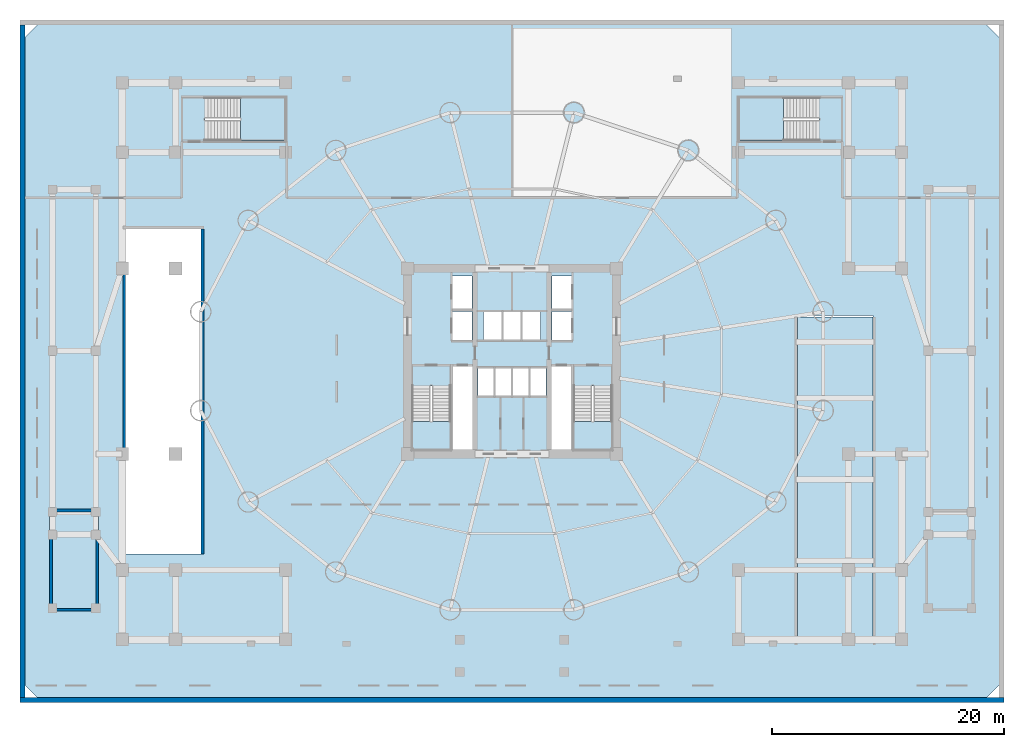
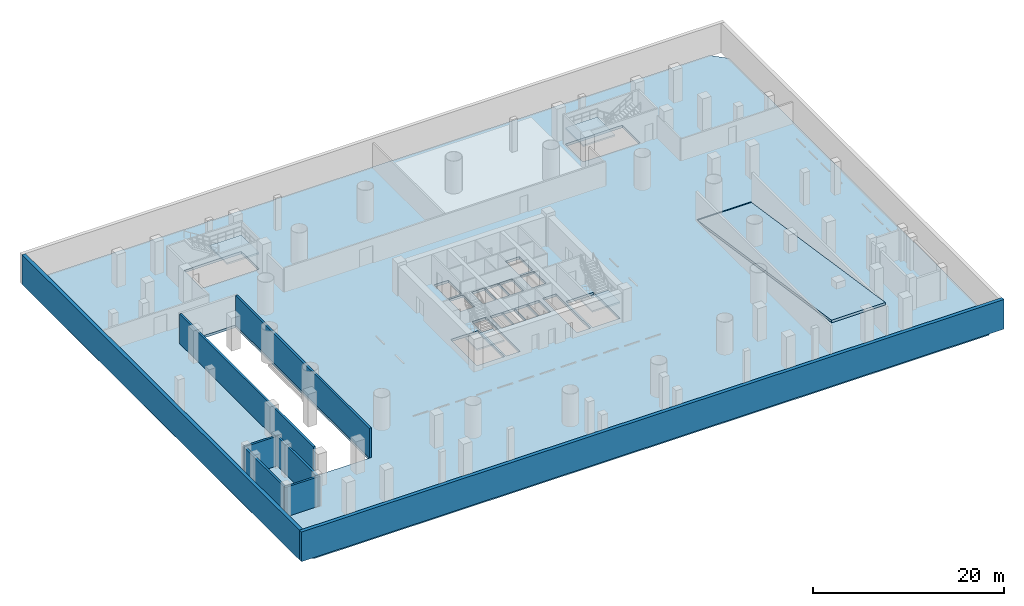
# One storey, part 3 of 11: 8 walls, 6 slabs, 4 elements without a shape of their own.
"""IFC4 building model written with IfcOpenShell, lengths in metres."""

import ifcopenshell
import ifcopenshell.guid

model = None  # the IFC model being written
_history = None  # IfcOwnerHistory: only IFC2X3 demands one
_inside = {}  # id of a spatial element -> (the spatial element, [elements in it])
_under = {}  # id of a project, library or spatial element -> (it, [spatial elements below it])
_declared = {}  # id of a project -> (the project, [libraries it declares])
_typed = {}  # id of a type object -> (the type object, [elements of that type])
_made_of = {}  # id of a material, layer set ... -> (it, [elements and type objects made of it])


def new_model(schema):
    """Start an empty IFC model of exactly this schema.

    Asked for "IFC4X3", IfcOpenShell would pick the latest addendum, in which some entities
    have other attributes; the version numbers below select the first issue.
    IFC2X3 requires an IfcOwnerHistory on every rooted entity: one is made here for all.
    """
    global model, _history
    if schema == "IFC4X3":
        model = ifcopenshell.file(schema_version=(4, 3, 0, 0))
    else:
        model = ifcopenshell.file(schema=schema)
    _inside.clear()
    _under.clear()
    _declared.clear()
    _typed.clear()
    _made_of.clear()
    _history = None
    if model.schema == "IFC2X3":
        org = make("IfcOrganization", Name="unknown")
        user = make(
            "IfcPersonAndOrganization",
            ThePerson=make("IfcPerson", FamilyName="unknown"),
            TheOrganization=org,
        )
        app = make(
            "IfcApplication",
            ApplicationDeveloper=org,
            Version="unknown",
            ApplicationFullName="unknown",
            ApplicationIdentifier="unknown",
        )
        _history = make(
            "IfcOwnerHistory",
            OwningUser=user,
            OwningApplication=app,
            ChangeAction="ADDED",
            CreationDate=0,
        )
    return model


def make(cls, **values):
    """One entity of the class cls with the attributes given. An attribute that is None is left unset."""
    return model.create_entity(
        cls, **{name: value for name, value in values.items() if value is not None}
    )


def rooted(cls, **values):
    """An entity with a GlobalId (a new one), such as an element, a storey or a relation."""
    return make(cls, GlobalId=ifcopenshell.guid.new(), OwnerHistory=_history, **values)


def si_unit(unit_type, name, prefix=None):
    """IfcSIUnit, for example si_unit("LENGTHUNIT", "METRE", prefix="MILLI")."""
    return make("IfcSIUnit", UnitType=unit_type, Prefix=prefix, Name=name)


def assignment(units):
    """IfcUnitAssignment: the units of a project."""
    return None if units is None else make("IfcUnitAssignment", Units=units)


def point(xyz):
    """IfcCartesianPoint."""
    return None if xyz is None else make("IfcCartesianPoint", Coordinates=xyz)


def direction(xyz):
    """IfcDirection."""
    return None if xyz is None else make("IfcDirection", DirectionRatios=xyz)


def frame(location, z_axis=None, x_axis=None):
    """IfcAxis2Placement3D, a coordinate frame: its origin and axes. An axis left out is left unset."""
    return make(
        "IfcAxis2Placement3D",
        Location=point(location),
        Axis=direction(z_axis),
        RefDirection=direction(x_axis),
    )


def frame_2d(location, x_axis=None):
    """IfcAxis2Placement2D, a coordinate frame in the plane: its origin and x axis."""
    return make(
        "IfcAxis2Placement2D", Location=point(location), RefDirection=direction(x_axis)
    )


def origin():
    """The frame at (0, 0, 0) with its axes left unset."""
    return frame((0.0, 0.0, 0.0))


def place(relative_to, where):
    """IfcLocalPlacement: puts the frame where relative to a parent placement (None: the world)."""
    return make(
        "IfcLocalPlacement", PlacementRelTo=relative_to, RelativePlacement=where
    )


def context(
    kind, dimensions, precision=None, world=None, true_north=None, identifier=None
):
    """IfcGeometricRepresentationContext, for example the 3D "Model" context."""
    return make(
        "IfcGeometricRepresentationContext",
        ContextIdentifier=identifier,
        ContextType=kind,
        CoordinateSpaceDimension=dimensions,
        Precision=precision,
        WorldCoordinateSystem=world,
        TrueNorth=true_north,
    )


def subcontext(parent, identifier, kind, view, scale=None):
    """IfcGeometricRepresentationSubContext, for example "Body" below "Model"."""
    return make(
        "IfcGeometricRepresentationSubContext",
        ContextIdentifier=identifier,
        ContextType=kind,
        ParentContext=parent,
        TargetScale=scale,
        TargetView=view,
    )


def project(units=None, contexts=None):
    """IfcProject with its units and contexts."""
    return rooted(
        "IfcProject",
        Name="project",
        RepresentationContexts=contexts,
        UnitsInContext=assignment(units),
    )


def spatial(cls, under=None, at=None, **own):
    """A site, building, storey or space (cls), placed at a placement, below another one or the project."""
    s = rooted(cls, ObjectPlacement=at, **own)
    if under is not None:
        _under.setdefault(under.id(), (under, []))[1].append(s)
    return s


def polyline(points):
    """IfcPolyline through the points."""
    return make("IfcPolyline", Points=[point(p) for p in points])


def profile(cls, at=None, kind="AREA", **sizes):
    """A parametric profile (cls). Its sizes go by their IFC names, for example OverallWidth=200.0."""
    return make(cls, ProfileType=kind, Position=at, **sizes)


def rectangle(**sizes):
    """IfcRectangleProfileDef."""
    return profile("IfcRectangleProfileDef", **sizes)


def outline(outer, holes=None, kind="AREA"):
    """IfcArbitraryClosedProfileDef: a profile drawn as a closed curve; with holes, ...WithVoids."""
    if holes is None:
        return make("IfcArbitraryClosedProfileDef", ProfileType=kind, OuterCurve=outer)
    return make(
        "IfcArbitraryProfileDefWithVoids",
        ProfileType=kind,
        OuterCurve=outer,
        InnerCurves=holes,
    )


def extrude(swept, where, along, depth):
    """IfcExtrudedAreaSolid: the profile swept, set in the frame where, extruded along a direction by depth."""
    return make(
        "IfcExtrudedAreaSolid",
        SweptArea=swept,
        Position=where,
        ExtrudedDirection=direction(along),
        Depth=depth,
    )


def shape(context_of_items, identifier, shape_type, items):
    """IfcShapeRepresentation: the items that make up one representation, for example the "Body"."""
    return make(
        "IfcShapeRepresentation",
        ContextOfItems=context_of_items,
        RepresentationIdentifier=identifier,
        RepresentationType=shape_type,
        Items=items,
    )


def material(Name=None, Category=None):
    """IfcMaterial."""
    return make("IfcMaterial", Name=Name, Category=Category)


def layer(
    of_material, thickness, ventilated=None, Name=None, Category=None, Priority=None
):
    """IfcMaterialLayer: one layer of a wall or slab, of a material (None: an air gap)."""
    return make(
        "IfcMaterialLayer",
        Material=of_material,
        LayerThickness=thickness,
        IsVentilated=ventilated,
        Name=Name,
        Category=Category,
        Priority=Priority,
    )


def layer_set(layers, Name=None):
    """IfcMaterialLayerSet."""
    return make("IfcMaterialLayerSet", MaterialLayers=layers, LayerSetName=Name)


def made_of(thing, what):
    """Note that an element or type object is made of a material, layer set ...; save() writes the relation."""
    if what is not None:
        _made_of.setdefault(what.id(), (what, []))[1].append(thing)
    return thing


def type_object(cls, material=None, **own):
    """A type object (cls), such as IfcWallType, which elements share."""
    return made_of(rooted(cls, **own), material)


def element(
    cls,
    number,
    at=None,
    inside=None,
    cuts=None,
    type_object=None,
    material=None,
    context=None,
    identifier="Body",
    shape_type=None,
    held_by="IfcProductDefinitionShape",
    body=None,
    shapes=None,
    **own,
):
    """One element of the class cls, such as IfcWall. Its Tag is "e" and its number.

    at: its placement. inside: the storey or other place that contains it. cuts: it is an
    opening in that element (IfcRelVoidsElement). A single representation is given by context,
    identifier, shape_type and body (its items); several are given by shapes. held_by: the class
    of the entity that holds the representations. save() writes the other relations.
    """
    e = rooted(cls, Tag="e%d" % number, ObjectPlacement=at, **own)
    if body is not None:
        shapes = [shape(context, identifier, shape_type, body)]
    if shapes is not None:
        e.Representation = make(held_by, Representations=shapes)
    if inside is not None:
        _inside.setdefault(inside.id(), (inside, []))[1].append(e)
    if cuts is not None:
        rooted(
            "IfcRelVoidsElement", RelatingBuildingElement=cuts, RelatedOpeningElement=e
        )
    if type_object is not None:
        _typed.setdefault(type_object.id(), (type_object, []))[1].append(e)
    return made_of(e, material)


def aggregate(whole, parts):
    """IfcRelAggregates: a whole, such as a stair, and the parts it consists of."""
    return rooted("IfcRelAggregates", RelatingObject=whole, RelatedObjects=parts)


def save(model, path):
    """Write the relations noted so far, then the file.

    IfcRelAggregates (storeys below a building ...), IfcRelContainedInSpatialStructure (elements
    in a storey), IfcRelDefinesByType, IfcRelAssociatesMaterial and IfcRelDeclares: one each for
    every whole, place, type object, material and project.
    """
    for whole, parts in _under.values():
        aggregate(whole, parts)
    for where, things in _inside.values():
        rooted(
            "IfcRelContainedInSpatialStructure",
            RelatedElements=things,
            RelatingStructure=where,
        )
    for kind, things in _typed.values():
        rooted("IfcRelDefinesByType", RelatedObjects=things, RelatingType=kind)
    for what, things in _made_of.values():
        rooted("IfcRelAssociatesMaterial", RelatedObjects=things, RelatingMaterial=what)
    for by, libraries in _declared.values():
        rooted("IfcRelDeclares", RelatingContext=by, RelatedDefinitions=libraries)
    model.write(path)


model = new_model("IFC4")

# Units and contexts
model_context = context("Model", 3, precision=1e-05, world=origin(), true_north=direction((-0.2419218956, 0.970295726276)))
body_context = subcontext(model_context, "Body", "Model", "MODEL_VIEW")
ifc_project = project(units=[si_unit("LENGTHUNIT", "METRE"), si_unit("AREAUNIT", "SQUARE_METRE"), si_unit("VOLUMEUNIT", "CUBIC_METRE"), si_unit("PLANEANGLEUNIT", "RADIAN"), si_unit("MASSUNIT", "GRAM", prefix="KILO")], contexts=[model_context])

# Site, building, storey
site_placement = place(None, origin())
site = spatial("IfcSite", under=ifc_project, at=site_placement, CompositionType="ELEMENT")
building_placement = place(site_placement, origin())
building = spatial("IfcBuilding", under=site, at=building_placement, Name="Cobrevalo Terracotta Tower", CompositionType="ELEMENT")
storey_placement = place(building_placement, frame((0.0, 0.0, -4.199951171875)))
storey = spatial("IfcBuildingStorey", under=building, at=storey_placement, Name="B01", CompositionType="ELEMENT", Elevation=-4.199951171875)

# Slab
ifc_material = material(Name="Concrete C50", Category="concrete")
ifc_layer_1 = layer(ifc_material, 0.320068359375)
ifc_layer_set_1 = layer_set([ifc_layer_1], Name="Concrete C50")
slab_type_1 = type_object("IfcSlabType", Name="B01 car-park structural slab 320 mm", PredefinedType="FLOOR", material=ifc_layer_set_1)
slab_1_placement = place(storey_placement, frame((0.0, 0.0, -0.320068359375)))
element("IfcSlab", 1, at=slab_1_placement, inside=storey, type_object=slab_type_1, Name="B01 basement car-park structural slab", PredefinedType="FLOOR", context=body_context, shape_type="SweptSolid", body=[
    extrude(outline(polyline([(-4.199951171875, -0.89990234375), (-4.199951171875, 54.5), (-2.699951171875, 56.0), (78.699951171875, 56.0), (80.199951171875, 54.5), (80.199951171875, -0.89990234375), (78.699951171875, -2.39990234375), (-2.699951171875, -2.39990234375), (-4.199951171875, -0.89990234375)]), holes=[polyline([(29.375, 19.175048828125), (32.695068359375, 19.175048828125), (32.695068359375, 24.659912109375), (29.375, 24.659912109375), (29.375, 19.175048828125)]), polyline([(34.574951171875, 19.175048828125), (34.574951171875, 26.360107421875), (32.919921875, 26.360107421875), (32.919921875, 19.175048828125), (34.574951171875, 19.175048828125)]), polyline([(11.199951171875, 10.199951171875), (11.199951171875, 38.199951171875), (4.699951171875, 38.199951171875), (4.699951171875, 10.199951171875), (11.199951171875, 10.199951171875)]), polyline([(36.47998046875, 23.800048828125), (36.47998046875, 26.25), (35.050048828125, 26.25), (35.050048828125, 23.800048828125), (36.47998046875, 23.800048828125)]), polyline([(37.9599609375, 23.800048828125), (37.9599609375, 26.25), (36.530029296875, 26.25), (36.530029296875, 23.800048828125), (37.9599609375, 23.800048828125)]), polyline([(37.1201171875, 28.60009765625), (37.1201171875, 31.050048828125), (35.550048828125, 31.050048828125), (35.550048828125, 28.60009765625), (37.1201171875, 28.60009765625)]), polyline([(38.780029296875, 28.60009765625), (38.780029296875, 31.050048828125), (37.219970703125, 31.050048828125), (37.219970703125, 28.60009765625), (38.780029296875, 28.60009765625)]), polyline([(32.85009765625, 28.60009765625), (34.550048828125, 28.60009765625), (34.550048828125, 31.10009765625), (32.85009765625, 31.10009765625), (32.85009765625, 28.60009765625)]), polyline([(32.85009765625, 31.35009765625), (34.550048828125, 31.35009765625), (34.550048828125, 34.14990234375), (32.85009765625, 34.14990234375), (32.85009765625, 31.35009765625)]), polyline([(18.449951171875, 45.800048828125), (18.449951171875, 49.52001953125), (11.5400390625, 49.52001953125), (11.5400390625, 45.800048828125), (18.449951171875, 45.800048828125)]), polyline([(43.304931640625, 19.175048828125), (46.625, 19.175048828125), (46.625, 24.659912109375), (43.304931640625, 24.659912109375), (43.304931640625, 19.175048828125)]), polyline([(43.080078125, 19.175048828125), (43.080078125, 26.360107421875), (41.425048828125, 26.360107421875), (41.425048828125, 19.175048828125), (43.080078125, 19.175048828125)]), polyline([(38.0400390625, 23.800048828125), (39.469970703125, 23.800048828125), (39.469970703125, 26.25), (38.0400390625, 26.25), (38.0400390625, 23.800048828125)]), polyline([(39.52001953125, 23.800048828125), (40.949951171875, 23.800048828125), (40.949951171875, 26.25), (39.52001953125, 26.25), (39.52001953125, 23.800048828125)]), polyline([(69.10009765625, 28.449951171875), (69.10009765625, 30.719970703125), (62.60009765625, 30.719970703125), (62.60009765625, 28.449951171875), (69.10009765625, 28.449951171875)]), polyline([(40.449951171875, 28.60009765625), (40.449951171875, 31.050048828125), (38.8798828125, 31.050048828125), (38.8798828125, 28.60009765625), (40.449951171875, 28.60009765625)]), polyline([(43.14990234375, 28.60009765625), (43.14990234375, 31.10009765625), (41.449951171875, 31.10009765625), (41.449951171875, 28.60009765625), (43.14990234375, 28.60009765625)]), polyline([(41.449951171875, 31.35009765625), (43.14990234375, 31.35009765625), (43.14990234375, 34.14990234375), (41.449951171875, 34.14990234375), (41.449951171875, 31.35009765625)]), polyline([(64.4599609375, 49.52001953125), (57.550048828125, 49.52001953125), (57.550048828125, 45.800048828125), (64.4599609375, 45.800048828125), (64.4599609375, 49.52001953125)])]), origin(), (0.0, 0.0, 1.0), 0.320068359375),
])

# Stair, slab
stair_type_1 = type_object("IfcStairType", Name="Core protected escape dogleg stair 1600", PredefinedType="HALF_TURN_STAIR", material=ifc_material)
stair_1_placement = place(storey_placement, origin())
stair_1 = element("IfcStair", 2, at=stair_1_placement, inside=storey, type_object=stair_type_1, Name="B01 Protected exit stair ST-1", PredefinedType="HALF_TURN_STAIR")
ifc_layer_2 = layer(ifc_material, 0.199951171875)
ifc_layer_set_2 = layer_set([ifc_layer_2], Name="Concrete C50")
slab_type_2 = type_object("IfcSlabType", Name="Reinforced Concrete Stair Landing 200", PredefinedType="LANDING", material=ifc_layer_set_2)
slab_2_placement = place(storey_placement, frame((0.0, 0.0, 1.89990234375)))
slab_2 = element("IfcSlab", 3, at=slab_2_placement, type_object=slab_type_2, Name="ST-1 landing 1", PredefinedType="LANDING", context=body_context, shape_type="SweptSolid", body=[
    extrude(outline(polyline([(29.375, 21.6201171875), (29.375, 19.175048828125), (32.695068359375, 19.175048828125), (32.695068359375, 21.6201171875), (29.375, 21.6201171875)])), origin(), (0.0, 0.0, 1.0), 0.199951171875),
])
aggregate(stair_1, [slab_2])

stair_2_placement = place(storey_placement, origin())
stair_2 = element("IfcStair", 4, at=stair_2_placement, inside=storey, type_object=stair_type_1, Name="B01 Protected exit stair ST-2", PredefinedType="HALF_TURN_STAIR")
slab_3_placement = place(storey_placement, frame((0.0, 0.0, 1.89990234375)))
slab_3 = element("IfcSlab", 5, at=slab_3_placement, type_object=slab_type_2, Name="ST-2 landing 1", PredefinedType="LANDING", context=body_context, shape_type="SweptSolid", body=[
    extrude(outline(polyline([(43.304931640625, 21.6201171875), (43.304931640625, 19.175048828125), (46.625, 19.175048828125), (46.625, 21.6201171875), (43.304931640625, 21.6201171875)])), origin(), (0.0, 0.0, 1.0), 0.199951171875),
])
aggregate(stair_2, [slab_3])

stair_type_2 = type_object("IfcStairType", Name="Podium concourse escape dogleg stair 1800", PredefinedType="HALF_TURN_STAIR", material=ifc_material)
stair_3_placement = place(storey_placement, origin())
stair_3 = element("IfcStair", 6, at=stair_3_placement, inside=storey, type_object=stair_type_2, Name="B01 Protected exit stair ST-P1", PredefinedType="HALF_TURN_STAIR")
slab_4_placement = place(storey_placement, frame((0.0, 0.0, 1.89990234375)))
slab_4 = element("IfcSlab", 7, at=slab_4_placement, type_object=slab_type_2, Name="ST-P1 landing 1", PredefinedType="LANDING", context=body_context, shape_type="SweptSolid", body=[
    extrude(outline(polyline([(14.580078125, 45.800048828125), (18.449951171875, 45.800048828125), (18.449951171875, 49.52001953125), (14.580078125, 49.52001953125), (14.580078125, 45.800048828125)])), origin(), (0.0, 0.0, 1.0), 0.199951171875),
])
aggregate(stair_3, [slab_4])

stair_4_placement = place(storey_placement, origin())
stair_4 = element("IfcStair", 8, at=stair_4_placement, inside=storey, type_object=stair_type_2, Name="B01 Protected exit stair ST-P2", PredefinedType="HALF_TURN_STAIR")
slab_5_placement = place(storey_placement, frame((0.0, 0.0, 1.89990234375)))
slab_5 = element("IfcSlab", 9, at=slab_5_placement, type_object=slab_type_2, Name="ST-P2 landing 1", PredefinedType="LANDING", context=body_context, shape_type="SweptSolid", body=[
    extrude(outline(polyline([(61.419921875, 49.52001953125), (57.550048828125, 49.52001953125), (57.550048828125, 45.800048828125), (61.419921875, 45.800048828125), (61.419921875, 49.52001953125)])), origin(), (0.0, 0.0, 1.0), 0.199951171875),
])
aggregate(stair_4, [slab_5])

# Slab
ifc_layer_3 = layer(ifc_material, 0.300048828125)
ifc_layer_set_3 = layer_set([ifc_layer_3], Name="Concrete C50")
slab_type_3 = type_object("IfcSlabType", Name="Structural subterranean two-way vehicle ramp slab 300 mm Concrete C50", PredefinedType="FLOOR", material=ifc_layer_set_3)
slab_6_placement = place(storey_placement, frame((62.60009765625, 30.590087890625, 0.0), z_axis=(0.0, 0.148442564029, 0.988921030813), x_axis=(1.0, 0.0, 0.0)))
element("IfcSlab", 10, at=slab_6_placement, inside=storey, type_object=slab_type_3, Name="B01 to L00 subterranean two-way vehicle ramp structural slab", PredefinedType="FLOOR", context=body_context, shape_type="SweptSolid", body=[
    extrude(outline(polyline([(0.0, 0.0), (6.5, 0.0), (6.5, -28.293442648037118), (0.0, -28.293442648037118), (0.0, 0.0)])), origin(), (0.0, 0.0, -1.0), 0.300048828125),
])

# Walls
ifc_layer_4 = layer(ifc_material, 0.419921875)
ifc_layer_set_4 = layer_set([ifc_layer_4], Name="Concrete C50")
wall_type_1 = type_object("IfcWallType", Name="Basement perimeter retaining wall 420 mm Concrete C50", PredefinedType="SOLIDWALL", material=ifc_layer_set_4)
wall_1_placement = place(storey_placement, frame((-4.409912109375, -2.39990234375, 0.0), z_axis=(0.0, 0.0, 1.0), x_axis=(1.0, 0.0, 0.0)))
element("IfcWall", 11, at=wall_1_placement, inside=storey, type_object=wall_type_1, Name="B01 south basement retaining wall", PredefinedType="SOLIDWALL", context=body_context, shape_type="SweptSolid", body=[
    extrude(rectangle(XDim=84.81982421875, YDim=0.419921875, at=frame_2d((42.409912109375, 0.0))), origin(), (0.0, 0.0, 1.0), 3.780029296875),
])
wall_2_placement = place(storey_placement, frame((-4.199951171875, -2.18994140625, 0.0), z_axis=(0.0, 0.0, 1.0), x_axis=(0.0, 1.0, 0.0)))
element("IfcWall", 12, at=wall_2_placement, inside=storey, type_object=wall_type_1, Name="B01 west basement retaining wall", PredefinedType="SOLIDWALL", context=body_context, shape_type="SweptSolid", body=[
    extrude(rectangle(XDim=57.97998046875, YDim=0.419921875, at=frame_2d((28.989990234375, 0.0))), origin(), (0.0, 0.0, 1.0), 3.780029296875),
])
ifc_layer_5 = layer(ifc_material, 0.25)
ifc_layer_set_5 = layer_set([ifc_layer_5], Name="Concrete C50")
wall_type_2 = type_object("IfcWallType", Name="Structural stair & ramp shaft RC wall 250 mm Concrete C50", PredefinedType="SOLIDWALL", material=ifc_layer_set_5)
for number, where, z_axis, x_axis, name in (
    (13, (4.574951171875, 10.199951171875, 0.0), (0.0, 0.0, 1.0), (0.0, 1.0, 0.0), "B01 west vehicle ramp shaft wall"),
    (14, (11.324951171875, 10.199951171875, 0.0), (0.0, 0.0, 1.0), (0.0, 1.0, 0.0), "B01 east vehicle ramp shaft wall"),
):
    element("IfcWall", number, at=place(storey_placement, frame(where, z_axis=z_axis, x_axis=x_axis)), inside=storey, type_object=wall_type_2, Name=name, PredefinedType="SOLIDWALL", context=body_context, shape_type="SweptSolid", body=[
        extrude(rectangle(XDim=28.0, YDim=0.25, at=frame_2d((14.0, 0.0))), origin(), (0.0, 0.0, 1.0), 3.780029296875),
    ])
for number, where, z_axis, x_axis, name in (
    (15, (-1.72509765625, 5.25, 0.0), (0.0, 0.0, 1.0), (0.0, 1.0, 0.0), "B01 West monumental raised-garden stair structural shaft wall W"),
    (16, (2.2451171875, 5.25, 0.0), (0.0, 0.0, 1.0), (0.0, 1.0, 0.0), "B01 West monumental raised-garden stair structural shaft wall E"),
):
    element("IfcWall", number, at=place(storey_placement, frame(where, z_axis=z_axis, x_axis=x_axis)), inside=storey, type_object=wall_type_2, Name=name, PredefinedType="SOLIDWALL", context=body_context, shape_type="SweptSolid", body=[
        extrude(rectangle(XDim=8.675048828125, YDim=0.25, at=frame_2d((4.33740234375, 0.0))), origin(), (0.0, 0.0, 1.0), 3.780029296875),
    ])
for number, where, z_axis, x_axis, name in (
    (17, (-1.85009765625, 5.375, 0.0), (0.0, 0.0, 1.0), (1.0, 0.0, 0.0), "B01 West monumental raised-garden stair structural shaft wall S"),
    (18, (-1.85009765625, 13.925048828125, 0.0), (0.0, 0.0, 1.0), (1.0, 0.0, 0.0), "B01 West monumental raised-garden stair structural shaft wall N"),
):
    element("IfcWall", number, at=place(storey_placement, frame(where, z_axis=z_axis, x_axis=x_axis)), inside=storey, type_object=wall_type_2, Name=name, PredefinedType="SOLIDWALL", context=body_context, shape_type="SweptSolid", body=[
        extrude(rectangle(XDim=4.22021484375, YDim=0.25, at=frame_2d((2.110107421875, 0.0))), origin(), (0.0, 0.0, 1.0), 3.780029296875),
    ])

save(model, "model.ifc")
